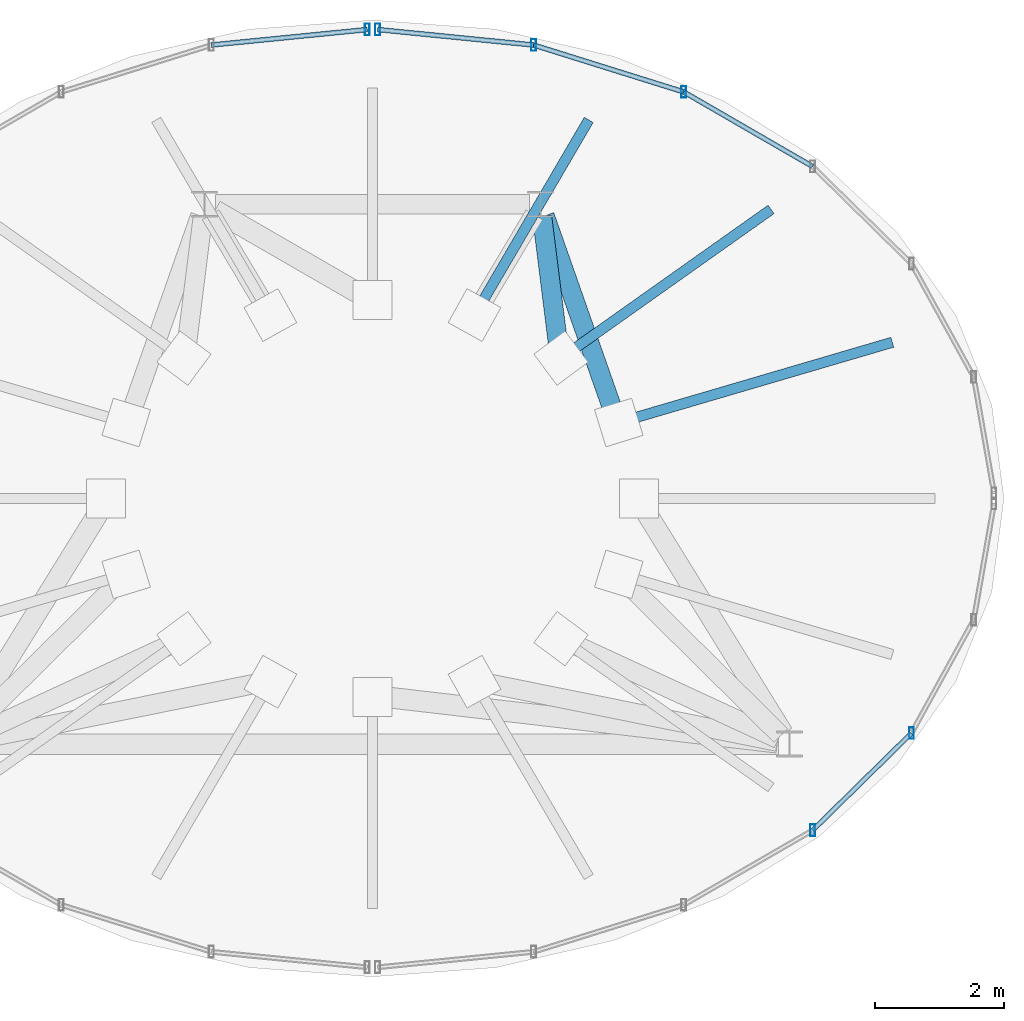
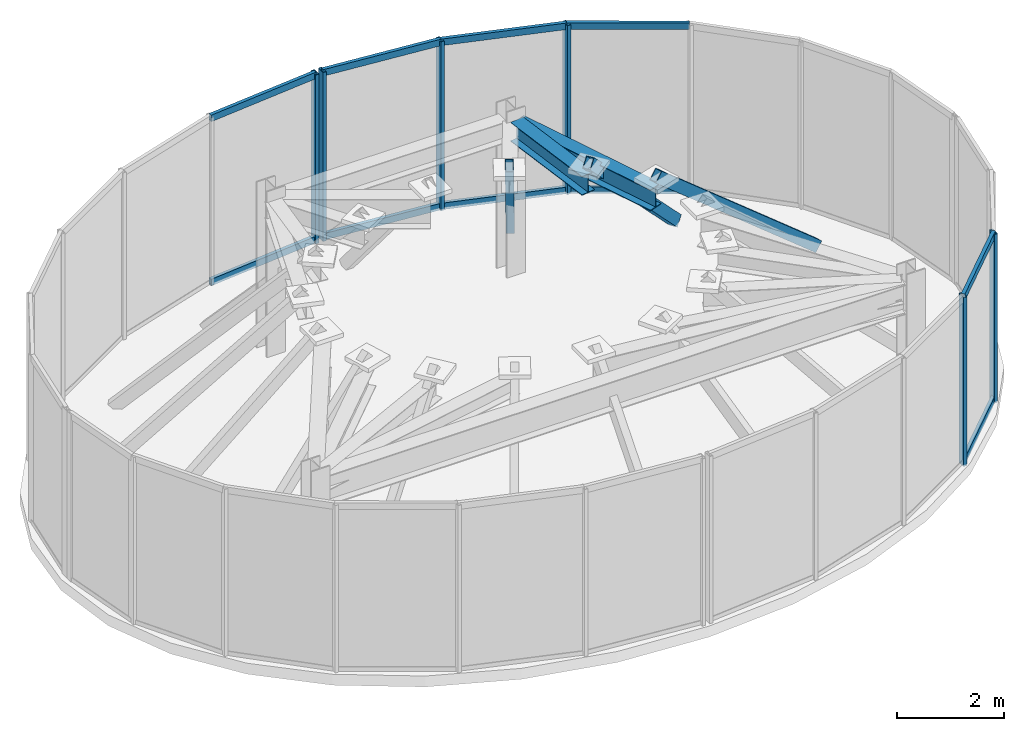
# One storey, part 6 of 8: 19 members, 2 beams, 3 elements without a shape of their own.
"""IFC4 building model written with IfcOpenShell, lengths in metres."""

from ifc_helpers import new_model, si_unit, direction, frame, origin, origin_2d, place, context, subcontext, project, spatial, hollow_rectangle, i_section, extrude, material, material_profile, profile_set, type_object, element, aggregate, save


model = new_model("IFC4")

# Units and contexts
model_context = context("Model", 3, precision=1e-05, world=origin(), true_north=direction((0.0, 1.0)))
body_context = subcontext(model_context, "Body", "Model", "MODEL_VIEW")
ifc_project = project(units=[si_unit("LENGTHUNIT", "METRE"), si_unit("AREAUNIT", "SQUARE_METRE"), si_unit("VOLUMEUNIT", "CUBIC_METRE"), si_unit("PLANEANGLEUNIT", "RADIAN"), si_unit("MASSUNIT", "GRAM", prefix="KILO")], contexts=[model_context])

# Site, building, storey
site_placement = place(None, origin())
site = spatial("IfcSite", under=ifc_project, at=site_placement, CompositionType="ELEMENT")
building_placement = place(site_placement, origin())
building = spatial("IfcBuilding", under=site, at=building_placement, Name="Vorneva Point Tower", CompositionType="ELEMENT")
storey_placement = place(building_placement, frame((0.0, 0.0, 310.60009765625)))
storey = spatial("IfcBuildingStorey", under=building, at=storey_placement, Name="C05", CompositionType="ELEMENT", Elevation=310.60009765625)

# Beams
ifc_material_1 = material(Name="Steel S355", Category="steel")
ifc_material_profile_1 = material_profile(ifc_material_1, i_section(OverallWidth=0.299072265625, OverallDepth=0.43505859375, WebThickness=0.010498046875, FlangeThickness=0.014892578125, at=origin_2d()), Name="45Sh1")
ifc_profile_set_1 = profile_set([ifc_material_profile_1], Name="Steel S355")
beam_type_1 = type_object("IfcBeamType", Name="BM-GRD-45Sh1", PredefinedType="USERDEFINED", material=ifc_profile_set_1)
beam_1_placement = place(storey_placement, frame((40.899169921875, 28.15673828125, 3.33251953125), z_axis=(-0.124048257587, 0.992276186245, 0.0), x_axis=(-0.992276186245, -0.124048257587, 0.0)))
element("IfcBeam", 1, at=beam_1_placement, inside=storey, type_object=beam_type_1, Name="C05 Radial Primary Girder 03", ObjectType="GIRDER", PredefinedType="USERDEFINED", context=body_context, shape_type="SweptSolid", body=[
    extrude(i_section(OverallWidth=0.299072265625, OverallDepth=0.43505859375, WebThickness=0.010498046875, FlangeThickness=0.014892578125, at=origin_2d()), origin(), (0.0, 0.0, 1.0), 2.221923828125),
])
ifc_material_profile_2 = material_profile(ifc_material_1, i_section(OverallWidth=0.300048828125, OverallDepth=0.48193359375, WebThickness=0.010986328125, FlangeThickness=0.014892578125, at=origin_2d()), Name="50Sh1")
ifc_profile_set_2 = profile_set([ifc_material_profile_2], Name="Steel S355")
beam_type_2 = type_object("IfcBeamType", Name="BM-GRD-50Sh1", PredefinedType="USERDEFINED", material=ifc_profile_set_2)
beam_2_placement = place(storey_placement, frame((41.787841796875, 27.167236328125, 3.308837890625), z_axis=(-0.331288773314, 0.943529410605, 0.0), x_axis=(-0.943529410605, -0.331288773314, 0.0)))
element("IfcBeam", 2, at=beam_2_placement, inside=storey, type_object=beam_type_2, Name="C05 Radial Primary Girder 02", ObjectType="GIRDER", PredefinedType="USERDEFINED", context=body_context, shape_type="SweptSolid", body=[
    extrude(i_section(OverallWidth=0.300048828125, OverallDepth=0.48193359375, WebThickness=0.010986328125, FlangeThickness=0.014892578125, at=origin_2d()), origin(), (0.0, 0.0, 1.0), 3.39501953125),
])

# Curtain wall, members
ifc_material_2 = material(Name="Pale anodised aluminium", Category="aluminium")
curtain_wall_type = type_object("IfcCurtainWallType", Name="CW-CRN-SYS", PredefinedType="NOTDEFINED", material=ifc_material_2)
curtain_wall_1_placement = place(storey_placement, origin())
curtain_wall_1 = element("IfcCurtainWall", 3, at=curtain_wall_1_placement, inside=storey, type_object=curtain_wall_type, Name="C05 Unitised Curtain Wall CW-C05-Q1", PredefinedType="NOTDEFINED")
ifc_material_profile_3 = material_profile(ifc_material_2, hollow_rectangle(XDim=0.074951171875, YDim=0.179931640625, WallThickness=0.00390625, at=origin_2d()), Name="AL-MUL 180x75x4")
ifc_profile_set_3 = profile_set([ifc_material_profile_3], Name="Pale anodised aluminium")
member_type_1 = type_object("IfcMemberType", Name="CW-MUL-180", PredefinedType="MULLION", material=ifc_profile_set_3)
member_1_placement = place(storey_placement, frame((42.81396484375, 32.287353515625, -0.0400390625), z_axis=(0.0, 0.0, 1.0), x_axis=(1.0, 0.0, 0.0)))
member_1 = element("IfcMember", 4, at=member_1_placement, type_object=member_type_1, Name="CW-C05-Q1 Mullion 05", PredefinedType="MULLION", context=body_context, shape_type="SweptSolid", body=[
    extrude(hollow_rectangle(XDim=0.074951171875, YDim=0.179931640625, WallThickness=0.00390625, at=origin_2d()), origin(), (0.0, 0.0, 1.0), 3.869873046875),
])
member_2_placement = place(storey_placement, frame((40.491943359375, 33.0126953125, -0.0400390625), z_axis=(0.0, 0.0, 1.0), x_axis=(1.0, 0.0, 0.0)))
member_2 = element("IfcMember", 5, at=member_2_placement, type_object=member_type_1, Name="CW-C05-Q1 Mullion 06", PredefinedType="MULLION", context=body_context, shape_type="SweptSolid", body=[
    extrude(hollow_rectangle(XDim=0.074951171875, YDim=0.179931640625, WallThickness=0.00390625, at=origin_2d()), origin(), (0.0, 0.0, 1.0), 3.869873046875),
])
member_3_placement = place(storey_placement, frame((38.07958984375, 33.252197265625, -0.0400390625), z_axis=(0.0, 0.0, 1.0), x_axis=(1.0, 0.0, 0.0)))
member_3 = element("IfcMember", 6, at=member_3_placement, type_object=member_type_1, Name="CW-C05-Q1 Mullion 07", PredefinedType="MULLION", context=body_context, shape_type="SweptSolid", body=[
    extrude(hollow_rectangle(XDim=0.074951171875, YDim=0.179931640625, WallThickness=0.00390625, at=origin_2d()), origin(), (0.0, 0.0, 1.0), 3.869873046875),
])

# Curtain wall, member
curtain_wall_2_placement = place(storey_placement, origin())
curtain_wall_2 = element("IfcCurtainWall", 7, at=curtain_wall_2_placement, inside=storey, type_object=curtain_wall_type, Name="C05 Unitised Curtain Wall CW-C05-Q2", PredefinedType="NOTDEFINED")
member_4_placement = place(storey_placement, frame((37.92041015625, 33.252197265625, -0.0400390625), z_axis=(0.0, 0.0, 1.0), x_axis=(1.0, 0.0, 0.0)))
member_4 = element("IfcMember", 8, at=member_4_placement, type_object=member_type_1, Name="CW-C05-Q2 Mullion 01", PredefinedType="MULLION", context=body_context, shape_type="SweptSolid", body=[
    extrude(hollow_rectangle(XDim=0.074951171875, YDim=0.179931640625, WallThickness=0.00390625, at=origin_2d()), origin(), (0.0, 0.0, 1.0), 3.869873046875),
])

# Curtain wall, members
curtain_wall_3_placement = place(storey_placement, origin())
curtain_wall_3 = element("IfcCurtainWall", 9, at=curtain_wall_3_placement, inside=storey, type_object=curtain_wall_type, Name="C05 Unitised Curtain Wall CW-C05-Q4", PredefinedType="NOTDEFINED")
member_5_placement = place(storey_placement, frame((44.80810546875, 20.866455078125, -0.0400390625), z_axis=(0.0, 0.0, 1.0), x_axis=(1.0, 0.0, 0.0)))
member_5 = element("IfcMember", 10, at=member_5_placement, type_object=member_type_1, Name="CW-C05-Q4 Mullion 04", PredefinedType="MULLION", context=body_context, shape_type="SweptSolid", body=[
    extrude(hollow_rectangle(XDim=0.074951171875, YDim=0.179931640625, WallThickness=0.00390625, at=origin_2d()), origin(), (0.0, 0.0, 1.0), 3.869873046875),
])
member_6_placement = place(storey_placement, frame((46.338134765625, 22.3701171875, -0.0400390625), z_axis=(0.0, 0.0, 1.0), x_axis=(1.0, 0.0, 0.0)))
member_6 = element("IfcMember", 11, at=member_6_placement, type_object=member_type_1, Name="CW-C05-Q4 Mullion 05", PredefinedType="MULLION", context=body_context, shape_type="SweptSolid", body=[
    extrude(hollow_rectangle(XDim=0.074951171875, YDim=0.179931640625, WallThickness=0.00390625, at=origin_2d()), origin(), (0.0, 0.0, 1.0), 3.869873046875),
])

# Member
ifc_material_profile_4 = material_profile(ifc_material_2, hollow_rectangle(XDim=0.074951171875, YDim=0.14990234375, WallThickness=0.00390625, at=origin_2d()), Name="AL-TRN 150x75x4")
ifc_profile_set_4 = profile_set([ifc_material_profile_4], Name="Pale anodised aluminium")
member_type_2 = type_object("IfcMemberType", Name="CW-TRN-150", PredefinedType="USERDEFINED", material=ifc_profile_set_4)
member_7_placement = place(storey_placement, frame((44.80810546875, 31.133544921875, 0.02001953125), z_axis=(-0.865556848897, 0.500810684119, 0.0), x_axis=(-0.500810684119, -0.865556848897, 0.0)))
member_7 = element("IfcMember", 12, at=member_7_placement, type_object=member_type_2, Name="CW-C05-Q1 Transom 04.1", ObjectType="TRANSOM", PredefinedType="USERDEFINED", context=body_context, shape_type="SweptSolid", body=[
    extrude(hollow_rectangle(XDim=0.074951171875, YDim=0.14990234375, WallThickness=0.00390625, at=origin_2d()), origin(), (0.0, 0.0, 1.0), 2.303955078125),
])

member_8_placement = place(storey_placement, frame((44.80810546875, 31.133544921875, 3.77978515625), z_axis=(-0.865556848897, 0.500810684119, 0.0), x_axis=(-0.500810684119, -0.865556848897, 0.0)))
member_8 = element("IfcMember", 13, at=member_8_placement, type_object=member_type_2, Name="CW-C05-Q1 Transom 04.2", ObjectType="TRANSOM", PredefinedType="USERDEFINED", context=body_context, shape_type="SweptSolid", body=[
    extrude(hollow_rectangle(XDim=0.074951171875, YDim=0.14990234375, WallThickness=0.00390625, at=origin_2d()), origin(), (0.0, 0.0, 1.0), 2.303955078125),
])

member_9_placement = place(storey_placement, frame((42.81396484375, 32.287353515625, 0.02001953125), z_axis=(-0.95451390104, 0.298166417831, 0.0), x_axis=(-0.298166417831, -0.95451390104, 0.0)))
member_9 = element("IfcMember", 14, at=member_9_placement, type_object=member_type_2, Name="CW-C05-Q1 Transom 05.1", ObjectType="TRANSOM", PredefinedType="USERDEFINED", context=body_context, shape_type="SweptSolid", body=[
    extrude(hollow_rectangle(XDim=0.074951171875, YDim=0.14990234375, WallThickness=0.00390625, at=origin_2d()), origin(), (0.0, 0.0, 1.0), 2.4326171875),
])

member_10_placement = place(storey_placement, frame((42.81396484375, 32.287353515625, 3.77978515625), z_axis=(-0.95451390104, 0.298166417831, 0.0), x_axis=(-0.298166417831, -0.95451390104, 0.0)))
member_10 = element("IfcMember", 15, at=member_10_placement, type_object=member_type_2, Name="CW-C05-Q1 Transom 05.2", ObjectType="TRANSOM", PredefinedType="USERDEFINED", context=body_context, shape_type="SweptSolid", body=[
    extrude(hollow_rectangle(XDim=0.074951171875, YDim=0.14990234375, WallThickness=0.00390625, at=origin_2d()), origin(), (0.0, 0.0, 1.0), 2.4326171875),
])

member_11_placement = place(storey_placement, frame((40.491943359375, 33.0126953125, 0.02001953125), z_axis=(-0.995107733945, 0.098795737982, 0.0), x_axis=(-0.098795737982, -0.995107733945, 0.0)))
member_11 = element("IfcMember", 16, at=member_11_placement, type_object=member_type_2, Name="CW-C05-Q1 Transom 06.1", ObjectType="TRANSOM", PredefinedType="USERDEFINED", context=body_context, shape_type="SweptSolid", body=[
    extrude(hollow_rectangle(XDim=0.074951171875, YDim=0.14990234375, WallThickness=0.00390625, at=origin_2d()), origin(), (0.0, 0.0, 1.0), 2.42431640625),
])

member_12_placement = place(storey_placement, frame((40.491943359375, 33.0126953125, 3.77978515625), z_axis=(-0.995107733945, 0.098795737982, 0.0), x_axis=(-0.098795737982, -0.995107733945, 0.0)))
member_12 = element("IfcMember", 17, at=member_12_placement, type_object=member_type_2, Name="CW-C05-Q1 Transom 06.2", ObjectType="TRANSOM", PredefinedType="USERDEFINED", context=body_context, shape_type="SweptSolid", body=[
    extrude(hollow_rectangle(XDim=0.074951171875, YDim=0.14990234375, WallThickness=0.00390625, at=origin_2d()), origin(), (0.0, 0.0, 1.0), 2.42431640625),
])

aggregate(curtain_wall_1, [member_1, member_2, member_3, member_7, member_8, member_9, member_10, member_11, member_12])

member_13_placement = place(storey_placement, frame((37.92041015625, 33.252197265625, 0.02001953125), z_axis=(-0.995107733945, -0.098795737982, 0.0), x_axis=(0.098795737982, -0.995107733945, 0.0)))
member_13 = element("IfcMember", 18, at=member_13_placement, type_object=member_type_2, Name="CW-C05-Q2 Transom 01.1", ObjectType="TRANSOM", PredefinedType="USERDEFINED", context=body_context, shape_type="SweptSolid", body=[
    extrude(hollow_rectangle(XDim=0.074951171875, YDim=0.14990234375, WallThickness=0.00390625, at=origin_2d()), origin(), (0.0, 0.0, 1.0), 2.42431640625),
])

member_14_placement = place(storey_placement, frame((37.92041015625, 33.252197265625, 3.77978515625), z_axis=(-0.995107733945, -0.098795737982, 0.0), x_axis=(0.098795737982, -0.995107733945, 0.0)))
member_14 = element("IfcMember", 19, at=member_14_placement, type_object=member_type_2, Name="CW-C05-Q2 Transom 01.2", ObjectType="TRANSOM", PredefinedType="USERDEFINED", context=body_context, shape_type="SweptSolid", body=[
    extrude(hollow_rectangle(XDim=0.074951171875, YDim=0.14990234375, WallThickness=0.00390625, at=origin_2d()), origin(), (0.0, 0.0, 1.0), 2.42431640625),
])

aggregate(curtain_wall_2, [member_4, member_13, member_14])

member_15_placement = place(storey_placement, frame((44.80810546875, 20.866455078125, 0.02001953125), z_axis=(0.713225628318, 0.700934521272, 0.0), x_axis=(-0.700934521272, 0.713225628318, 0.0)))
member_15 = element("IfcMember", 20, at=member_15_placement, type_object=member_type_2, Name="CW-C05-Q4 Transom 04.1", ObjectType="TRANSOM", PredefinedType="USERDEFINED", context=body_context, shape_type="SweptSolid", body=[
    extrude(hollow_rectangle(XDim=0.074951171875, YDim=0.14990234375, WallThickness=0.00390625, at=origin_2d()), origin(), (0.0, 0.0, 1.0), 2.145263671875),
])

member_16_placement = place(storey_placement, frame((44.80810546875, 20.866455078125, 3.77978515625), z_axis=(0.713225628318, 0.700934521272, 0.0), x_axis=(-0.700934521272, 0.713225628318, 0.0)))
member_16 = element("IfcMember", 21, at=member_16_placement, type_object=member_type_2, Name="CW-C05-Q4 Transom 04.2", ObjectType="TRANSOM", PredefinedType="USERDEFINED", context=body_context, shape_type="SweptSolid", body=[
    extrude(hollow_rectangle(XDim=0.074951171875, YDim=0.14990234375, WallThickness=0.00390625, at=origin_2d()), origin(), (0.0, 0.0, 1.0), 2.145263671875),
])

aggregate(curtain_wall_3, [member_5, member_6, member_15, member_16])

# Members
ifc_material_profile_5 = material_profile(ifc_material_1, hollow_rectangle(XDim=0.159912109375, YDim=0.25, WallThickness=0.010009765625, at=origin_2d()), Name="PP 250x160x10")
ifc_profile_set_5 = profile_set([ifc_material_profile_5], Name="Steel S355")
member_type_3 = type_object("IfcMemberType", Name="MBR-CRN-PP250", PredefinedType="CHORD", material=ifc_profile_set_5)
member_17_placement = place(storey_placement, frame((45.9619140625, 28.391845703125, 0.0), z_axis=(-0.722669994686, -0.212020395002, 0.657871895496), x_axis=(0.281519043956, -0.959555640852, 0.0)))
element("IfcMember", 22, at=member_17_placement, inside=storey, type_object=member_type_3, Name="Crown Tapered Frame Rib C05-02", PredefinedType="CHORD", context=body_context, shape_type="SweptSolid", body=[
    extrude(hollow_rectangle(XDim=0.159912109375, YDim=0.25, WallThickness=0.010009765625, at=origin_2d()), origin(), (0.0, 0.0, 1.0), 5.77587890625),
])
member_18_placement = place(storey_placement, frame((44.09375, 30.41943359375, 0.0), z_axis=(-0.585559055977, -0.414746758181, 0.696495311213), x_axis=(0.577994846056, -0.816040414399, 0.0)))
element("IfcMember", 23, at=member_18_placement, inside=storey, type_object=member_type_3, Name="Crown Tapered Frame Rib C05-03", PredefinedType="CHORD", context=body_context, shape_type="SweptSolid", body=[
    extrude(hollow_rectangle(XDim=0.159912109375, YDim=0.25, WallThickness=0.010009765625, at=origin_2d()), origin(), (0.0, 0.0, 1.0), 5.45556640625),
])
member_19_placement = place(storey_placement, frame((41.298095703125, 31.774169921875, 0.0), z_axis=(-0.33799744938, -0.577917412389, 0.742811677796), x_axis=(0.863206946257, -0.504850243075, 0.0)))
element("IfcMember", 24, at=member_19_placement, inside=storey, type_object=member_type_3, Name="Crown Tapered Frame Rib C05-04", PredefinedType="CHORD", context=body_context, shape_type="SweptSolid", body=[
    extrude(hollow_rectangle(XDim=0.159912109375, YDim=0.25, WallThickness=0.010009765625, at=origin_2d()), origin(), (0.0, 0.0, 1.0), 5.115478515625),
])

save(model, "model.ifc")
